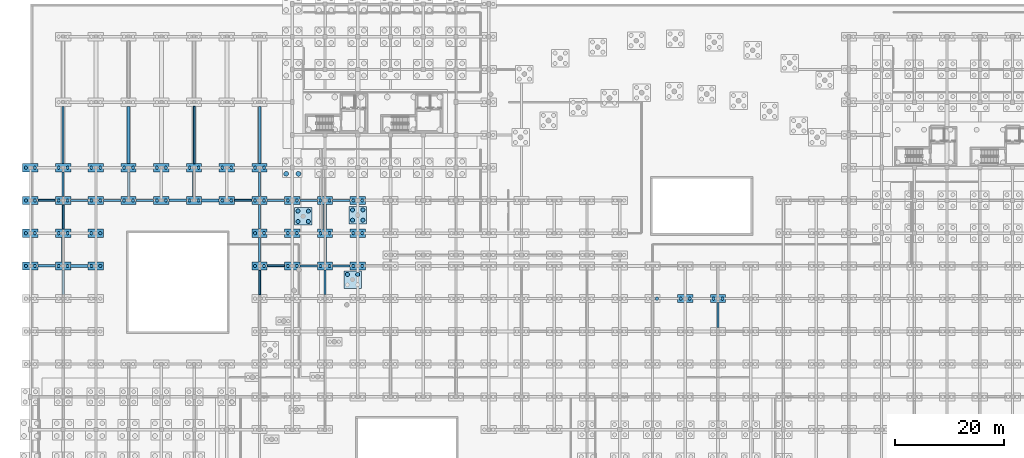
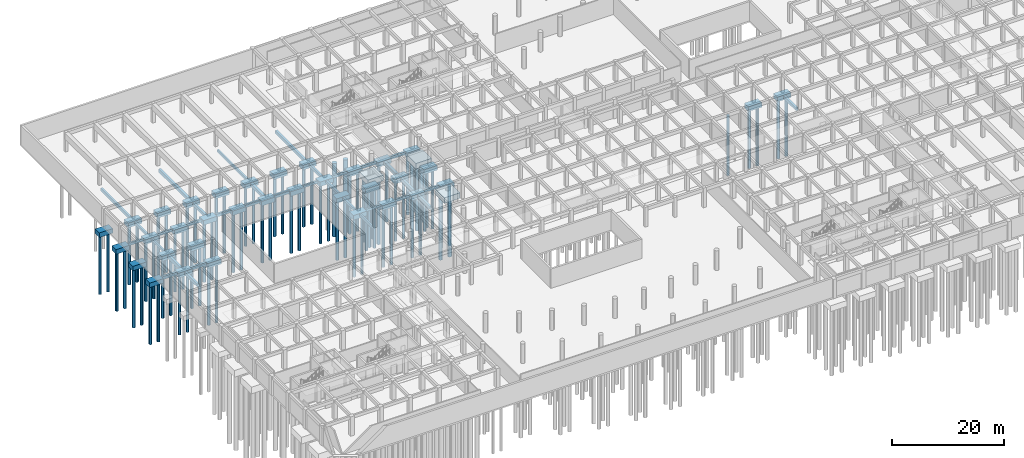
# One storey, part 6 of 41: 83 piles, 71 footings.
"""IFC4 building model written with IfcOpenShell, lengths in metres."""

from ifc_helpers import new_model, si_unit, direction, frame, origin, origin_2d, place, context, subcontext, project, spatial, polyline, rectangle, circle, outline, extrude, material, material_profile, profile_set, type_object, element, save


model = new_model("IFC4")

# Units and contexts
model_context = context("Model", 3, precision=1e-05, world=origin(), true_north=direction((0.0, 1.0)))
body_context = subcontext(model_context, "Body", "Model", "MODEL_VIEW")
ifc_project = project(units=[si_unit("LENGTHUNIT", "METRE"), si_unit("AREAUNIT", "SQUARE_METRE"), si_unit("VOLUMEUNIT", "CUBIC_METRE"), si_unit("PLANEANGLEUNIT", "RADIAN"), si_unit("MASSUNIT", "GRAM", prefix="KILO"), si_unit("POWERUNIT", "WATT"), si_unit("THERMODYNAMICTEMPERATUREUNIT", "KELVIN")], contexts=[model_context])

# Site, building, storey
site_placement = place(None, origin())
site = spatial("IfcSite", under=ifc_project, at=site_placement, CompositionType="ELEMENT")
building_placement = place(site_placement, origin())
building = spatial("IfcBuilding", under=site, at=building_placement, Name="Ruvembo Vaulted Housing Court", CompositionType="ELEMENT")
storey_placement = place(building_placement, frame((0.0, 0.0, -4.5)))
storey = spatial("IfcBuildingStorey", under=building, at=storey_placement, Name="B1", CompositionType="ELEMENT", Elevation=-4.5)

# Footings
ifc_material_1 = material(Name="Concrete C30/37", Category="concrete")
footing_type_1 = type_object("IfcFootingType", Name="GB-350x550", PredefinedType="FOOTING_BEAM", material=ifc_material_1)
footing_1_placement = place(storey_placement, frame((0.0, 0.0, -0.85009765625)))
element("IfcFooting", 1, at=footing_1_placement, inside=storey, type_object=footing_type_1, Name="Ground Tie Beam GB-114", PredefinedType="FOOTING_BEAM", context=body_context, shape_type="SweptSolid", body=[
    extrude(outline(polyline([(43.39990234375, 65.824951171875), (46.60009765625, 65.824951171875), (46.60009765625, 66.175048828125), (43.39990234375, 66.175048828125), (43.39990234375, 65.824951171875)])), origin(), (0.0, 0.0, 1.0), 0.550048828125),
])
footing_2_placement = place(storey_placement, frame((0.0, 0.0, -0.85009765625)))
element("IfcFooting", 2, at=footing_2_placement, inside=storey, type_object=footing_type_1, Name="Ground Tie Beam GB-138", PredefinedType="FOOTING_BEAM", context=body_context, shape_type="SweptSolid", body=[
    extrude(outline(polyline([(1.39990234375, 77.824951171875), (4.60009765625, 77.824951171875), (4.60009765625, 78.175048828125), (1.39990234375, 78.175048828125), (1.39990234375, 77.824951171875)])), origin(), (0.0, 0.0, 1.0), 0.550048828125),
])
footing_3_placement = place(storey_placement, frame((0.0, 0.0, -0.85009765625)))
element("IfcFooting", 3, at=footing_3_placement, inside=storey, type_object=footing_type_1, Name="Ground Tie Beam GB-144", PredefinedType="FOOTING_BEAM", context=body_context, shape_type="SweptSolid", body=[
    extrude(outline(polyline([(37.39990234375, 77.824951171875), (40.60009765625, 77.824951171875), (40.60009765625, 78.175048828125), (37.39990234375, 78.175048828125), (37.39990234375, 77.824951171875)])), origin(), (0.0, 0.0, 1.0), 0.550048828125),
])
footing_4_placement = place(storey_placement, frame((0.0, 0.0, -0.85009765625)))
element("IfcFooting", 4, at=footing_4_placement, inside=storey, type_object=footing_type_1, Name="Ground Tie Beam GB-192", PredefinedType="FOOTING_BEAM", context=body_context, shape_type="SweptSolid", body=[
    extrude(outline(polyline([(5.824951171875, 72.75), (6.175048828125, 72.75), (6.175048828125, 77.25), (5.824951171875, 77.25), (5.824951171875, 72.75)])), origin(), (0.0, 0.0, 1.0), 0.550048828125),
])
footing_5_placement = place(storey_placement, frame((0.0, 0.0, -0.85009765625)))
element("IfcFooting", 5, at=footing_5_placement, inside=storey, type_object=footing_type_1, Name="Ground Tie Beam GB-210", PredefinedType="FOOTING_BEAM", context=body_context, shape_type="SweptSolid", body=[
    extrude(outline(polyline([(29.824951171875, 84.75), (30.175048828125, 84.75), (30.175048828125, 95.25), (29.824951171875, 95.25), (29.824951171875, 84.75)])), origin(), (0.0, 0.0, 1.0), 0.550048828125),
])
footing_6_placement = place(storey_placement, frame((0.0, 0.0, -0.85009765625)))
element("IfcFooting", 6, at=footing_6_placement, inside=storey, type_object=footing_type_1, Name="Ground Tie Beam GB-216", PredefinedType="FOOTING_BEAM", context=body_context, shape_type="SweptSolid", body=[
    extrude(outline(polyline([(41.824951171875, 60.75), (42.175048828125, 60.75), (42.175048828125, 65.25), (41.824951171875, 65.25), (41.824951171875, 60.75)])), origin(), (0.0, 0.0, 1.0), 0.550048828125),
])
footing_type_2 = type_object("IfcFootingType", Name="GB-380x580", PredefinedType="FOOTING_BEAM", material=ifc_material_1)
footing_7_placement = place(storey_placement, frame((0.0, 0.0, -0.8798828125)))
element("IfcFooting", 7, at=footing_7_placement, inside=storey, type_object=footing_type_2, Name="Ground Tie Beam GB-115", PredefinedType="FOOTING_BEAM", context=body_context, shape_type="SweptSolid", body=[
    extrude(outline(polyline([(49.39990234375, 65.81005859375), (52.60009765625, 65.81005859375), (52.60009765625, 66.18994140625), (49.39990234375, 66.18994140625), (49.39990234375, 65.81005859375)])), origin(), (0.0, 0.0, 1.0), 0.579833984375),
])
footing_8_placement = place(storey_placement, frame((0.0, 0.0, -0.8798828125)))
element("IfcFooting", 8, at=footing_8_placement, inside=storey, type_object=footing_type_2, Name="Ground Tie Beam GB-139", PredefinedType="FOOTING_BEAM", context=body_context, shape_type="SweptSolid", body=[
    extrude(outline(polyline([(7.39990234375, 77.81005859375), (10.60009765625, 77.81005859375), (10.60009765625, 78.18994140625), (7.39990234375, 78.18994140625), (7.39990234375, 77.81005859375)])), origin(), (0.0, 0.0, 1.0), 0.579833984375),
])
footing_9_placement = place(storey_placement, frame((0.0, 0.0, -0.8798828125)))
element("IfcFooting", 9, at=footing_9_placement, inside=storey, type_object=footing_type_2, Name="Ground Tie Beam GB-145", PredefinedType="FOOTING_BEAM", context=body_context, shape_type="SweptSolid", body=[
    extrude(outline(polyline([(43.39990234375, 77.81005859375), (46.60009765625, 77.81005859375), (46.60009765625, 78.18994140625), (43.39990234375, 78.18994140625), (43.39990234375, 77.81005859375)])), origin(), (0.0, 0.0, 1.0), 0.579833984375),
])
footing_10_placement = place(storey_placement, frame((0.0, 0.0, -0.8798828125)))
element("IfcFooting", 10, at=footing_10_placement, inside=storey, type_object=footing_type_2, Name="Ground Tie Beam GB-193", PredefinedType="FOOTING_BEAM", context=body_context, shape_type="SweptSolid", body=[
    extrude(outline(polyline([(5.81005859375, 78.75), (6.18994140625, 78.75), (6.18994140625, 83.25), (5.81005859375, 83.25), (5.81005859375, 78.75)])), origin(), (0.0, 0.0, 1.0), 0.579833984375),
])
footing_11_placement = place(storey_placement, frame((0.0, 0.0, -0.8798828125)))
element("IfcFooting", 11, at=footing_11_placement, inside=storey, type_object=footing_type_2, Name="Ground Tie Beam GB-217", PredefinedType="FOOTING_BEAM", context=body_context, shape_type="SweptSolid", body=[
    extrude(outline(polyline([(41.81005859375, 66.75), (42.18994140625, 66.75), (42.18994140625, 71.25), (41.81005859375, 71.25), (41.81005859375, 66.75)])), origin(), (0.0, 0.0, 1.0), 0.579833984375),
])
footing_type_3 = type_object("IfcFootingType", Name="GB-400x600", PredefinedType="FOOTING_BEAM", material=ifc_material_1)
footing_12_placement = place(storey_placement, frame((0.0, 0.0, -0.89990234375)))
element("IfcFooting", 12, at=footing_12_placement, inside=storey, type_object=footing_type_3, Name="Ground Tie Beam GB-116", PredefinedType="FOOTING_BEAM", context=body_context, shape_type="SweptSolid", body=[
    extrude(outline(polyline([(55.39990234375, 65.800048828125), (58.60009765625, 65.800048828125), (58.60009765625, 66.199951171875), (55.39990234375, 66.199951171875), (55.39990234375, 65.800048828125)])), origin(), (0.0, 0.0, 1.0), 0.599853515625),
])
footing_13_placement = place(storey_placement, frame((0.0, 0.0, -0.89990234375)))
element("IfcFooting", 13, at=footing_13_placement, inside=storey, type_object=footing_type_3, Name="Ground Tie Beam GB-140", PredefinedType="FOOTING_BEAM", context=body_context, shape_type="SweptSolid", body=[
    extrude(outline(polyline([(13.39990234375, 77.800048828125), (16.60009765625, 77.800048828125), (16.60009765625, 78.199951171875), (13.39990234375, 78.199951171875), (13.39990234375, 77.800048828125)])), origin(), (0.0, 0.0, 1.0), 0.599853515625),
])
footing_14_placement = place(storey_placement, frame((0.0, 0.0, -0.89990234375)))
element("IfcFooting", 14, at=footing_14_placement, inside=storey, type_object=footing_type_3, Name="Ground Tie Beam GB-146", PredefinedType="FOOTING_BEAM", context=body_context, shape_type="SweptSolid", body=[
    extrude(outline(polyline([(49.39990234375, 77.800048828125), (52.60009765625, 77.800048828125), (52.60009765625, 78.199951171875), (49.39990234375, 78.199951171875), (49.39990234375, 77.800048828125)])), origin(), (0.0, 0.0, 1.0), 0.599853515625),
])
footing_15_placement = place(storey_placement, frame((0.0, 0.0, -0.89990234375)))
element("IfcFooting", 15, at=footing_15_placement, inside=storey, type_object=footing_type_3, Name="Ground Tie Beam GB-194", PredefinedType="FOOTING_BEAM", context=body_context, shape_type="SweptSolid", body=[
    extrude(outline(polyline([(5.800048828125, 84.75), (6.199951171875, 84.75), (6.199951171875, 95.25), (5.800048828125, 95.25), (5.800048828125, 84.75)])), origin(), (0.0, 0.0, 1.0), 0.599853515625),
])
footing_16_placement = place(storey_placement, frame((0.0, 0.0, -0.89990234375)))
element("IfcFooting", 16, at=footing_16_placement, inside=storey, type_object=footing_type_3, Name="Ground Tie Beam GB-218", PredefinedType="FOOTING_BEAM", context=body_context, shape_type="SweptSolid", body=[
    extrude(outline(polyline([(41.800048828125, 72.75), (42.199951171875, 72.75), (42.199951171875, 77.25), (41.800048828125, 77.25), (41.800048828125, 72.75)])), origin(), (0.0, 0.0, 1.0), 0.599853515625),
])
footing_type_4 = type_object("IfcFootingType", Name="GB-420x620", PredefinedType="FOOTING_BEAM", material=ifc_material_1)
footing_17_placement = place(storey_placement, frame((0.0, 0.0, -0.919921875)))
element("IfcFooting", 17, at=footing_17_placement, inside=storey, type_object=footing_type_4, Name="Ground Tie Beam GB-141", PredefinedType="FOOTING_BEAM", context=body_context, shape_type="SweptSolid", body=[
    extrude(outline(polyline([(19.39990234375, 77.7900390625), (22.60009765625, 77.7900390625), (22.60009765625, 78.2099609375), (19.39990234375, 78.2099609375), (19.39990234375, 77.7900390625)])), origin(), (0.0, 0.0, 1.0), 0.619873046875),
])
footing_18_placement = place(storey_placement, frame((0.0, 0.0, -0.919921875)))
element("IfcFooting", 18, at=footing_18_placement, inside=storey, type_object=footing_type_4, Name="Ground Tie Beam GB-147", PredefinedType="FOOTING_BEAM", context=body_context, shape_type="SweptSolid", body=[
    extrude(outline(polyline([(55.39990234375, 77.7900390625), (58.60009765625, 77.7900390625), (58.60009765625, 78.2099609375), (55.39990234375, 78.2099609375), (55.39990234375, 77.7900390625)])), origin(), (0.0, 0.0, 1.0), 0.619873046875),
])
footing_19_placement = place(storey_placement, frame((0.0, 0.0, -0.919921875)))
element("IfcFooting", 19, at=footing_19_placement, inside=storey, type_object=footing_type_4, Name="Ground Tie Beam GB-219", PredefinedType="FOOTING_BEAM", context=body_context, shape_type="SweptSolid", body=[
    extrude(outline(polyline([(41.7900390625, 78.75), (42.2099609375, 78.75), (42.2099609375, 83.25), (41.7900390625, 83.25), (41.7900390625, 78.75)])), origin(), (0.0, 0.0, 1.0), 0.619873046875),
])
footing_20_placement = place(storey_placement, frame((0.0, 0.0, -0.919921875)))
element("IfcFooting", 20, at=footing_20_placement, inside=storey, type_object=footing_type_4, Name="Ground Tie Beam GB-225", PredefinedType="FOOTING_BEAM", context=body_context, shape_type="SweptSolid", body=[
    extrude(outline(polyline([(53.7900390625, 60.75), (54.2099609375, 60.75), (54.2099609375, 65.25), (53.7900390625, 65.25), (53.7900390625, 60.75)])), origin(), (0.0, 0.0, 1.0), 0.619873046875),
])
footing_21_placement = place(storey_placement, frame((0.0, 0.0, -0.919921875)))
element("IfcFooting", 21, at=footing_21_placement, inside=storey, type_object=footing_type_4, Name="Ground Tie Beam GB-291", PredefinedType="FOOTING_BEAM", context=body_context, shape_type="SweptSolid", body=[
    extrude(outline(polyline([(125.7900390625, 54.75), (126.2099609375, 54.75), (126.2099609375, 59.25), (125.7900390625, 59.25), (125.7900390625, 54.75)])), origin(), (0.0, 0.0, 1.0), 0.619873046875),
])
footing_type_5 = type_object("IfcFootingType", Name="GB-450x650", PredefinedType="FOOTING_BEAM", material=ifc_material_1)
footing_22_placement = place(storey_placement, frame((0.0, 0.0, -0.949951171875)))
element("IfcFooting", 22, at=footing_22_placement, inside=storey, type_object=footing_type_5, Name="Ground Tie Beam GB-112", PredefinedType="FOOTING_BEAM", context=body_context, shape_type="SweptSolid", body=[
    extrude(outline(polyline([(1.39990234375, 65.77490234375), (4.60009765625, 65.77490234375), (4.60009765625, 66.22509765625), (1.39990234375, 66.22509765625), (1.39990234375, 65.77490234375)])), origin(), (0.0, 0.0, 1.0), 0.64990234375),
])
footing_23_placement = place(storey_placement, frame((0.0, 0.0, -0.949951171875)))
element("IfcFooting", 23, at=footing_23_placement, inside=storey, type_object=footing_type_5, Name="Ground Tie Beam GB-142", PredefinedType="FOOTING_BEAM", context=body_context, shape_type="SweptSolid", body=[
    extrude(outline(polyline([(25.39990234375, 77.77490234375), (28.60009765625, 77.77490234375), (28.60009765625, 78.22509765625), (25.39990234375, 78.22509765625), (25.39990234375, 77.77490234375)])), origin(), (0.0, 0.0, 1.0), 0.64990234375),
])
footing_24_placement = place(storey_placement, frame((0.0, 0.0, -0.949951171875)))
element("IfcFooting", 24, at=footing_24_placement, inside=storey, type_object=footing_type_5, Name="Ground Tie Beam GB-190", PredefinedType="FOOTING_BEAM", context=body_context, shape_type="SweptSolid", body=[
    extrude(outline(polyline([(5.77490234375, 60.75), (6.22509765625, 60.75), (6.22509765625, 65.25), (5.77490234375, 65.25), (5.77490234375, 60.75)])), origin(), (0.0, 0.0, 1.0), 0.64990234375),
])
footing_25_placement = place(storey_placement, frame((0.0, 0.0, -0.949951171875)))
element("IfcFooting", 25, at=footing_25_placement, inside=storey, type_object=footing_type_5, Name="Ground Tie Beam GB-202", PredefinedType="FOOTING_BEAM", context=body_context, shape_type="SweptSolid", body=[
    extrude(outline(polyline([(17.77490234375, 78.75), (18.22509765625, 78.75), (18.22509765625, 83.25), (17.77490234375, 83.25), (17.77490234375, 78.75)])), origin(), (0.0, 0.0, 1.0), 0.64990234375),
])
footing_26_placement = place(storey_placement, frame((0.0, 0.0, -0.949951171875)))
element("IfcFooting", 26, at=footing_26_placement, inside=storey, type_object=footing_type_5, Name="Ground Tie Beam GB-220", PredefinedType="FOOTING_BEAM", context=body_context, shape_type="SweptSolid", body=[
    extrude(outline(polyline([(41.77490234375, 84.75), (42.22509765625, 84.75), (42.22509765625, 95.25), (41.77490234375, 95.25), (41.77490234375, 84.75)])), origin(), (0.0, 0.0, 1.0), 0.64990234375),
])
footing_27_placement = place(storey_placement, frame((0.0, 0.0, -0.949951171875)))
element("IfcFooting", 27, at=footing_27_placement, inside=storey, type_object=footing_type_5, Name="Ground Tie Beam GB-226", PredefinedType="FOOTING_BEAM", context=body_context, shape_type="SweptSolid", body=[
    extrude(outline(polyline([(53.77490234375, 66.75), (54.22509765625, 66.75), (54.22509765625, 71.25), (53.77490234375, 71.25), (53.77490234375, 66.75)])), origin(), (0.0, 0.0, 1.0), 0.64990234375),
])
footing_type_6 = type_object("IfcFootingType", Name="GB-500x700", PredefinedType="FOOTING_BEAM", material=ifc_material_1)
footing_28_placement = place(storey_placement, frame((0.0, 0.0, -1.0)))
element("IfcFooting", 28, at=footing_28_placement, inside=storey, type_object=footing_type_6, Name="Ground Tie Beam GB-113", PredefinedType="FOOTING_BEAM", context=body_context, shape_type="SweptSolid", body=[
    extrude(outline(polyline([(7.39990234375, 65.75), (10.60009765625, 65.75), (10.60009765625, 66.25), (7.39990234375, 66.25), (7.39990234375, 65.75)])), origin(), (0.0, 0.0, 1.0), 0.699951171875),
])
footing_29_placement = place(storey_placement, frame((0.0, 0.0, -1.0)))
element("IfcFooting", 29, at=footing_29_placement, inside=storey, type_object=footing_type_6, Name="Ground Tie Beam GB-143", PredefinedType="FOOTING_BEAM", context=body_context, shape_type="SweptSolid", body=[
    extrude(outline(polyline([(31.39990234375, 77.75), (34.60009765625, 77.75), (34.60009765625, 78.25), (31.39990234375, 78.25), (31.39990234375, 77.75)])), origin(), (0.0, 0.0, 1.0), 0.699951171875),
])
footing_30_placement = place(storey_placement, frame((0.0, 0.0, -1.0)))
element("IfcFooting", 30, at=footing_30_placement, inside=storey, type_object=footing_type_6, Name="Ground Tie Beam GB-191", PredefinedType="FOOTING_BEAM", context=body_context, shape_type="SweptSolid", body=[
    extrude(outline(polyline([(5.75, 66.75), (6.25, 66.75), (6.25, 71.25), (5.75, 71.25), (5.75, 66.75)])), origin(), (0.0, 0.0, 1.0), 0.699951171875),
])
footing_31_placement = place(storey_placement, frame((0.0, 0.0, -1.0)))
element("IfcFooting", 31, at=footing_31_placement, inside=storey, type_object=footing_type_6, Name="Ground Tie Beam GB-203", PredefinedType="FOOTING_BEAM", context=body_context, shape_type="SweptSolid", body=[
    extrude(outline(polyline([(17.75, 84.75), (18.25, 84.75), (18.25, 95.25), (17.75, 95.25), (17.75, 84.75)])), origin(), (0.0, 0.0, 1.0), 0.699951171875),
])
footing_32_placement = place(storey_placement, frame((0.0, 0.0, -1.0)))
element("IfcFooting", 32, at=footing_32_placement, inside=storey, type_object=footing_type_6, Name="Ground Tie Beam GB-209", PredefinedType="FOOTING_BEAM", context=body_context, shape_type="SweptSolid", body=[
    extrude(outline(polyline([(29.75, 78.75), (30.25, 78.75), (30.25, 83.25), (29.75, 83.25), (29.75, 78.75)])), origin(), (0.0, 0.0, 1.0), 0.699951171875),
])
footing_33_placement = place(storey_placement, frame((0.0, 0.0, -1.0)))
element("IfcFooting", 33, at=footing_33_placement, inside=storey, type_object=footing_type_6, Name="Ground Tie Beam GB-227", PredefinedType="FOOTING_BEAM", context=body_context, shape_type="SweptSolid", body=[
    extrude(outline(polyline([(53.75, 72.75), (54.25, 72.75), (54.25, 77.25), (53.75, 77.25), (53.75, 72.75)])), origin(), (0.0, 0.0, 1.0), 0.699951171875),
])
ifc_material_2 = material(Name="Concrete C35/45", Category="concrete")
footing_type_7 = type_object("IfcFootingType", Name="PC-2P-A", PredefinedType="PILE_CAP", material=ifc_material_2)
for number, where, z_axis, x_axis, name in (
    (34, (0.0, 66.0, -1.300048828125), (0.0, 0.0, 1.0), (1.0, 0.0, 0.0), "Pile Cap PC1 #13"),
    (35, (0.0, 72.0, -1.300048828125), (0.0, 0.0, 1.0), (1.0, 0.0, 0.0), "Pile Cap PC1 #14"),
    (36, (0.0, 78.0, -1.300048828125), (0.0, 0.0, 1.0), (1.0, 0.0, 0.0), "Pile Cap PC1 #15"),
    (37, (0.0, 84.0, -1.300048828125), (0.0, 0.0, 1.0), (1.0, 0.0, 0.0), "Pile Cap PC1 #16"),
    (38, (6.0, 66.0, -1.300048828125), (0.0, 0.0, 1.0), (1.0, 0.0, 0.0), "Pile Cap PC1 #25"),
    (39, (6.0, 72.0, -1.300048828125), (0.0, 0.0, 1.0), (1.0, 0.0, 0.0), "Pile Cap PC1 #26"),
    (40, (6.0, 78.0, -1.300048828125), (0.0, 0.0, 1.0), (1.0, 0.0, 0.0), "Pile Cap PC1 #27"),
    (41, (6.0, 84.0, -1.300048828125), (0.0, 0.0, 1.0), (1.0, 0.0, 0.0), "Pile Cap PC1 #28"),
    (42, (12.0, 66.0, -1.300048828125), (0.0, 0.0, 1.0), (1.0, 0.0, 0.0), "Pile Cap PC1 #39"),
    (43, (12.0, 72.0, -1.300048828125), (0.0, 0.0, 1.0), (1.0, 0.0, 0.0), "Pile Cap PC1 #40"),
    (44, (12.0, 78.0, -1.300048828125), (0.0, 0.0, 1.0), (1.0, 0.0, 0.0), "Pile Cap PC1 #41"),
    (45, (12.0, 84.0, -1.300048828125), (0.0, 0.0, 1.0), (1.0, 0.0, 0.0), "Pile Cap PC1 #42"),
    (46, (18.0, 78.0, -1.300048828125), (0.0, 0.0, 1.0), (1.0, 0.0, 0.0), "Pile Cap PC1 #51"),
    (47, (18.0, 84.0, -1.300048828125), (0.0, 0.0, 1.0), (1.0, 0.0, 0.0), "Pile Cap PC1 #52"),
    (48, (24.0, 78.0, -1.300048828125), (0.0, 0.0, 1.0), (1.0, 0.0, 0.0), "Pile Cap PC1 #61"),
    (49, (24.0, 84.0, -1.300048828125), (0.0, 0.0, 1.0), (1.0, 0.0, 0.0), "Pile Cap PC1 #62"),
    (50, (30.0, 78.0, -1.300048828125), (0.0, 0.0, 1.0), (1.0, 0.0, 0.0), "Pile Cap PC1 #71"),
    (51, (30.0, 84.0, -1.300048828125), (0.0, 0.0, 1.0), (1.0, 0.0, 0.0), "Pile Cap PC1 #72"),
    (52, (36.0, 78.0, -1.300048828125), (0.0, 0.0, 1.0), (1.0, 0.0, 0.0), "Pile Cap PC1 #83"),
    (53, (36.0, 84.0, -1.300048828125), (0.0, 0.0, 1.0), (1.0, 0.0, 0.0), "Pile Cap PC1 #84"),
    (54, (42.0, 66.0, -1.300048828125), (0.0, 0.0, 1.0), (1.0, 0.0, 0.0), "Pile Cap PC1 #92"),
    (55, (42.0, 72.0, -1.300048828125), (0.0, 0.0, 1.0), (1.0, 0.0, 0.0), "Pile Cap PC1 #93"),
    (56, (42.0, 78.0, -1.300048828125), (0.0, 0.0, 1.0), (1.0, 0.0, 0.0), "Pile Cap PC1 #94"),
    (57, (42.0, 84.0, -1.300048828125), (0.0, 0.0, 1.0), (1.0, 0.0, 0.0), "Pile Cap PC1 #95"),
    (58, (48.0, 66.0, -1.300048828125), (0.0, 0.0, 1.0), (1.0, 0.0, 0.0), "Pile Cap PC1 #103"),
    (59, (48.0, 72.0, -1.300048828125), (0.0, 0.0, 1.0), (1.0, 0.0, 0.0), "Pile Cap PC1 #104"),
    (60, (48.0, 78.0, -1.300048828125), (0.0, 0.0, 1.0), (1.0, 0.0, 0.0), "Pile Cap PC1 #105"),
    (61, (54.0, 66.0, -1.300048828125), (0.0, 0.0, 1.0), (1.0, 0.0, 0.0), "Pile Cap PC1 #115"),
    (62, (54.0, 72.0, -1.300048828125), (0.0, 0.0, 1.0), (1.0, 0.0, 0.0), "Pile Cap PC1 #116"),
    (63, (54.0, 78.0, -1.300048828125), (0.0, 0.0, 1.0), (1.0, 0.0, 0.0), "Pile Cap PC1 #117"),
    (64, (60.0, 66.0, -1.300048828125), (0.0, 0.0, 1.0), (1.0, 0.0, 0.0), "Pile Cap PC1 #126"),
    (65, (60.0, 72.0, -1.300048828125), (0.0, 0.0, 1.0), (1.0, 0.0, 0.0), "Pile Cap PC1 #127"),
    (66, (60.0, 78.0, -1.300048828125), (0.0, 0.0, 1.0), (1.0, 0.0, 0.0), "Pile Cap PC1 #128"),
    (67, (120.0, 60.0, -1.300048828125), (0.0, 0.0, 1.0), (1.0, 0.0, 0.0), "Pile Cap PC1 #246"),
    (68, (126.0, 60.0, -1.300048828125), (0.0, 0.0, 1.0), (1.0, 0.0, 0.0), "Pile Cap PC1 #256"),
):
    element("IfcFooting", number, at=place(storey_placement, frame(where, z_axis=z_axis, x_axis=x_axis)), inside=storey, type_object=footing_type_7, Name=name, PredefinedType="PILE_CAP", context=body_context, shape_type="SweptSolid", body=[
        extrude(rectangle(XDim=2.800048828125, YDim=1.5, at=origin_2d()), origin(), (0.0, 0.0, 1.0), 1.0),
    ])
footing_type_8 = type_object("IfcFootingType", Name="PC-4P-A", PredefinedType="PILE_CAP", material=ifc_material_2)
for number, where, z_axis, x_axis, name in (
    (69, (59.040771484375, 63.495361328125, -1.5), (0.0, 0.0, 1.0), (1.0, 0.0, 0.0), "Pile Cap PC4 #400"),
    (70, (49.987548828125, 75.092529296875, -1.5), (0.0, 0.0, 1.0), (1.0, 0.0, 0.0), "Pile Cap PC4 #401"),
    (71, (59.985107421875, 75.3203125, -1.5), (0.0, 0.0, 1.0), (1.0, 0.0, 0.0), "Pile Cap PC4 #402"),
):
    element("IfcFooting", number, at=place(storey_placement, frame(where, z_axis=z_axis, x_axis=x_axis)), inside=storey, type_object=footing_type_8, Name=name, PredefinedType="PILE_CAP", context=body_context, shape_type="SweptSolid", body=[
        extrude(rectangle(XDim=3.199951171875, YDim=3.199951171875, at=origin_2d()), origin(), (0.0, 0.0, 1.0), 1.199951171875),
    ])

# Piles
ifc_material_profile_1 = material_profile(ifc_material_1, circle(Radius=0.300048828125, at=origin_2d()), Name="PILE D600")
ifc_profile_set_1 = profile_set([ifc_material_profile_1], Name="Concrete C30/37")
pile_type_1 = type_object("IfcPileType", Name="PILE-BORED-600", PredefinedType="BORED", material=ifc_profile_set_1)
for number, where, z_axis, x_axis, name in (
    (72, (-0.820068359375, 66.0, -1.199951171875), (0.0, 0.0, -1.0), (1.0, 0.0, 0.0), "Bored Pile PILE-0075"),
    (73, (0.820068359375, 66.0, -1.199951171875), (0.0, 0.0, -1.0), (1.0, 0.0, 0.0), "Bored Pile PILE-0076"),
    (74, (-0.820068359375, 72.0, -1.199951171875), (0.0, 0.0, -1.0), (1.0, 0.0, 0.0), "Bored Pile PILE-0077"),
    (75, (0.820068359375, 72.0, -1.199951171875), (0.0, 0.0, -1.0), (1.0, 0.0, 0.0), "Bored Pile PILE-0078"),
    (76, (-0.820068359375, 78.0, -1.199951171875), (0.0, 0.0, -1.0), (1.0, 0.0, 0.0), "Bored Pile PILE-0079"),
    (77, (0.820068359375, 78.0, -1.199951171875), (0.0, 0.0, -1.0), (1.0, 0.0, 0.0), "Bored Pile PILE-0080"),
    (78, (-0.820068359375, 84.0, -1.199951171875), (0.0, 0.0, -1.0), (1.0, 0.0, 0.0), "Bored Pile PILE-0081"),
    (79, (0.820068359375, 84.0, -1.199951171875), (0.0, 0.0, -1.0), (1.0, 0.0, 0.0), "Bored Pile PILE-0082"),
    (80, (5.179931640625, 66.0, -1.199951171875), (0.0, 0.0, -1.0), (1.0, 0.0, 0.0), "Bored Pile PILE-0109"),
    (81, (6.820068359375, 66.0, -1.199951171875), (0.0, 0.0, -1.0), (1.0, 0.0, 0.0), "Bored Pile PILE-0110"),
    (82, (5.179931640625, 72.0, -1.199951171875), (0.0, 0.0, -1.0), (1.0, 0.0, 0.0), "Bored Pile PILE-0111"),
    (83, (6.820068359375, 72.0, -1.199951171875), (0.0, 0.0, -1.0), (1.0, 0.0, 0.0), "Bored Pile PILE-0112"),
    (84, (5.179931640625, 78.0, -1.199951171875), (0.0, 0.0, -1.0), (1.0, 0.0, 0.0), "Bored Pile PILE-0113"),
    (85, (6.820068359375, 78.0, -1.199951171875), (0.0, 0.0, -1.0), (1.0, 0.0, 0.0), "Bored Pile PILE-0114"),
    (86, (5.179931640625, 84.0, -1.199951171875), (0.0, 0.0, -1.0), (1.0, 0.0, 0.0), "Bored Pile PILE-0115"),
    (87, (6.820068359375, 84.0, -1.199951171875), (0.0, 0.0, -1.0), (1.0, 0.0, 0.0), "Bored Pile PILE-0116"),
    (88, (11.179931640625, 66.0, -1.199951171875), (0.0, 0.0, -1.0), (1.0, 0.0, 0.0), "Bored Pile PILE-0147"),
    (89, (12.820068359375, 66.0, -1.199951171875), (0.0, 0.0, -1.0), (1.0, 0.0, 0.0), "Bored Pile PILE-0148"),
    (90, (11.179931640625, 72.0, -1.199951171875), (0.0, 0.0, -1.0), (1.0, 0.0, 0.0), "Bored Pile PILE-0149"),
    (91, (12.820068359375, 72.0, -1.199951171875), (0.0, 0.0, -1.0), (1.0, 0.0, 0.0), "Bored Pile PILE-0150"),
    (92, (11.179931640625, 78.0, -1.199951171875), (0.0, 0.0, -1.0), (1.0, 0.0, 0.0), "Bored Pile PILE-0151"),
    (93, (12.820068359375, 78.0, -1.199951171875), (0.0, 0.0, -1.0), (1.0, 0.0, 0.0), "Bored Pile PILE-0152"),
    (94, (11.179931640625, 84.0, -1.199951171875), (0.0, 0.0, -1.0), (1.0, 0.0, 0.0), "Bored Pile PILE-0153"),
    (95, (12.820068359375, 84.0, -1.199951171875), (0.0, 0.0, -1.0), (1.0, 0.0, 0.0), "Bored Pile PILE-0154"),
    (96, (17.179931640625, 78.0, -1.199951171875), (0.0, 0.0, -1.0), (1.0, 0.0, 0.0), "Bored Pile PILE-0181"),
    (97, (18.820068359375, 78.0, -1.199951171875), (0.0, 0.0, -1.0), (1.0, 0.0, 0.0), "Bored Pile PILE-0182"),
    (98, (17.179931640625, 84.0, -1.199951171875), (0.0, 0.0, -1.0), (1.0, 0.0, 0.0), "Bored Pile PILE-0183"),
    (99, (18.820068359375, 84.0, -1.199951171875), (0.0, 0.0, -1.0), (1.0, 0.0, 0.0), "Bored Pile PILE-0184"),
    (100, (23.179931640625, 78.0, -1.199951171875), (0.0, 0.0, -1.0), (1.0, 0.0, 0.0), "Bored Pile PILE-0211"),
    (101, (24.820068359375, 78.0, -1.199951171875), (0.0, 0.0, -1.0), (1.0, 0.0, 0.0), "Bored Pile PILE-0212"),
    (102, (23.179931640625, 84.0, -1.199951171875), (0.0, 0.0, -1.0), (1.0, 0.0, 0.0), "Bored Pile PILE-0213"),
    (103, (24.820068359375, 84.0, -1.199951171875), (0.0, 0.0, -1.0), (1.0, 0.0, 0.0), "Bored Pile PILE-0214"),
    (104, (29.179931640625, 78.0, -1.199951171875), (0.0, 0.0, -1.0), (1.0, 0.0, 0.0), "Bored Pile PILE-0241"),
    (105, (30.820068359375, 78.0, -1.199951171875), (0.0, 0.0, -1.0), (1.0, 0.0, 0.0), "Bored Pile PILE-0242"),
    (106, (29.179931640625, 84.0, -1.199951171875), (0.0, 0.0, -1.0), (1.0, 0.0, 0.0), "Bored Pile PILE-0243"),
    (107, (30.820068359375, 84.0, -1.199951171875), (0.0, 0.0, -1.0), (1.0, 0.0, 0.0), "Bored Pile PILE-0244"),
    (108, (35.179931640625, 78.0, -1.199951171875), (0.0, 0.0, -1.0), (1.0, 0.0, 0.0), "Bored Pile PILE-0267"),
    (109, (36.820068359375, 78.0, -1.199951171875), (0.0, 0.0, -1.0), (1.0, 0.0, 0.0), "Bored Pile PILE-0268"),
    (110, (35.179931640625, 84.0, -1.199951171875), (0.0, 0.0, -1.0), (1.0, 0.0, 0.0), "Bored Pile PILE-0269"),
    (111, (36.820068359375, 84.0, -1.199951171875), (0.0, 0.0, -1.0), (1.0, 0.0, 0.0), "Bored Pile PILE-0270"),
    (112, (41.179931640625, 66.0, -1.199951171875), (0.0, 0.0, -1.0), (1.0, 0.0, 0.0), "Bored Pile PILE-0285"),
    (113, (42.820068359375, 66.0, -1.199951171875), (0.0, 0.0, -1.0), (1.0, 0.0, 0.0), "Bored Pile PILE-0286"),
    (114, (41.179931640625, 72.0, -1.199951171875), (0.0, 0.0, -1.0), (1.0, 0.0, 0.0), "Bored Pile PILE-0287"),
    (115, (42.820068359375, 72.0, -1.199951171875), (0.0, 0.0, -1.0), (1.0, 0.0, 0.0), "Bored Pile PILE-0288"),
    (116, (41.179931640625, 78.0, -1.199951171875), (0.0, 0.0, -1.0), (1.0, 0.0, 0.0), "Bored Pile PILE-0289"),
    (117, (42.820068359375, 78.0, -1.199951171875), (0.0, 0.0, -1.0), (1.0, 0.0, 0.0), "Bored Pile PILE-0290"),
    (118, (41.179931640625, 84.0, -1.199951171875), (0.0, 0.0, -1.0), (1.0, 0.0, 0.0), "Bored Pile PILE-0291"),
    (119, (42.820068359375, 84.0, -1.199951171875), (0.0, 0.0, -1.0), (1.0, 0.0, 0.0), "Bored Pile PILE-0292"),
    (120, (47.179931640625, 66.0, -1.199951171875), (0.0, 0.0, -1.0), (1.0, 0.0, 0.0), "Bored Pile PILE-0307"),
    (121, (48.820068359375, 66.0, -1.199951171875), (0.0, 0.0, -1.0), (1.0, 0.0, 0.0), "Bored Pile PILE-0308"),
    (122, (47.179931640625, 72.0, -1.199951171875), (0.0, 0.0, -1.0), (1.0, 0.0, 0.0), "Bored Pile PILE-0309"),
    (123, (48.820068359375, 72.0, -1.199951171875), (0.0, 0.0, -1.0), (1.0, 0.0, 0.0), "Bored Pile PILE-0310"),
    (124, (47.179931640625, 78.0, -1.199951171875), (0.0, 0.0, -1.0), (1.0, 0.0, 0.0), "Bored Pile PILE-0311"),
    (125, (48.820068359375, 78.0, -1.199951171875), (0.0, 0.0, -1.0), (1.0, 0.0, 0.0), "Bored Pile PILE-0312"),
    (126, (53.179931640625, 66.0, -1.199951171875), (0.0, 0.0, -1.0), (1.0, 0.0, 0.0), "Bored Pile PILE-0339"),
    (127, (54.820068359375, 66.0, -1.199951171875), (0.0, 0.0, -1.0), (1.0, 0.0, 0.0), "Bored Pile PILE-0340"),
    (128, (53.179931640625, 72.0, -1.199951171875), (0.0, 0.0, -1.0), (1.0, 0.0, 0.0), "Bored Pile PILE-0341"),
    (129, (54.820068359375, 72.0, -1.199951171875), (0.0, 0.0, -1.0), (1.0, 0.0, 0.0), "Bored Pile PILE-0342"),
    (130, (53.179931640625, 78.0, -1.199951171875), (0.0, 0.0, -1.0), (1.0, 0.0, 0.0), "Bored Pile PILE-0343"),
    (131, (54.820068359375, 78.0, -1.199951171875), (0.0, 0.0, -1.0), (1.0, 0.0, 0.0), "Bored Pile PILE-0344"),
    (132, (59.179931640625, 66.0, -1.199951171875), (0.0, 0.0, -1.0), (1.0, 0.0, 0.0), "Bored Pile PILE-0369"),
    (133, (60.820068359375, 66.0, -1.199951171875), (0.0, 0.0, -1.0), (1.0, 0.0, 0.0), "Bored Pile PILE-0370"),
    (134, (59.179931640625, 72.0, -1.199951171875), (0.0, 0.0, -1.0), (1.0, 0.0, 0.0), "Bored Pile PILE-0371"),
    (135, (60.820068359375, 72.0, -1.199951171875), (0.0, 0.0, -1.0), (1.0, 0.0, 0.0), "Bored Pile PILE-0372"),
    (136, (59.179931640625, 78.0, -1.199951171875), (0.0, 0.0, -1.0), (1.0, 0.0, 0.0), "Bored Pile PILE-0373"),
    (137, (60.820068359375, 78.0, -1.199951171875), (0.0, 0.0, -1.0), (1.0, 0.0, 0.0), "Bored Pile PILE-0374"),
    (138, (114.820068359375, 60.0, -1.199951171875), (0.0, 0.0, -1.0), (1.0, 0.0, 0.0), "Bored Pile PILE-0652"),
    (139, (119.179931640625, 60.0, -1.199951171875), (0.0, 0.0, -1.0), (1.0, 0.0, 0.0), "Bored Pile PILE-0681"),
    (140, (120.820068359375, 60.0, -1.199951171875), (0.0, 0.0, -1.0), (1.0, 0.0, 0.0), "Bored Pile PILE-0682"),
    (141, (125.179931640625, 60.0, -1.199951171875), (0.0, 0.0, -1.0), (1.0, 0.0, 0.0), "Bored Pile PILE-0711"),
    (142, (126.820068359375, 60.0, -1.199951171875), (0.0, 0.0, -1.0), (1.0, 0.0, 0.0), "Bored Pile PILE-0712"),
):
    element("IfcPile", number, at=place(storey_placement, frame(where, z_axis=z_axis, x_axis=x_axis)), inside=storey, type_object=pile_type_1, Name=name, PredefinedType="BORED", context=body_context, shape_type="SweptSolid", body=[
        extrude(circle(Radius=0.300048828125, at=origin_2d()), origin(), (0.0, 0.0, 1.0), 13.0),
    ])
ifc_material_profile_2 = material_profile(ifc_material_1, circle(Radius=0.375, at=origin_2d()), Name="PILE D750")
ifc_profile_set_2 = profile_set([ifc_material_profile_2], Name="Concrete C30/37")
pile_type_2 = type_object("IfcPileType", Name="PILE-BORED-750", PredefinedType="BORED", material=ifc_profile_set_2)
for number, where, z_axis, x_axis, name in (
    (143, (58.095703125, 64.440185546875, -1.39990234375), (0.0, 0.0, -1.0), (1.0, 0.0, 0.0), "Bored Pile PILE-1075"),
    (144, (59.98583984375, 64.440185546875, -1.39990234375), (0.0, 0.0, -1.0), (1.0, 0.0, 0.0), "Bored Pile PILE-1076"),
    (145, (49.04248046875, 74.147705078125, -1.39990234375), (0.0, 0.0, -1.0), (1.0, 0.0, 0.0), "Bored Pile PILE-1077"),
    (146, (50.9326171875, 74.147705078125, -1.39990234375), (0.0, 0.0, -1.0), (1.0, 0.0, 0.0), "Bored Pile PILE-1078"),
    (147, (49.04248046875, 76.03759765625, -1.39990234375), (0.0, 0.0, -1.0), (1.0, 0.0, 0.0), "Bored Pile PILE-1079"),
    (148, (50.9326171875, 76.03759765625, -1.39990234375), (0.0, 0.0, -1.0), (1.0, 0.0, 0.0), "Bored Pile PILE-1080"),
    (149, (59.0400390625, 74.375244140625, -1.39990234375), (0.0, 0.0, -1.0), (1.0, 0.0, 0.0), "Bored Pile PILE-1081"),
    (150, (60.929931640625, 74.375244140625, -1.39990234375), (0.0, 0.0, -1.0), (1.0, 0.0, 0.0), "Bored Pile PILE-1082"),
    (151, (59.0400390625, 76.265380859375, -1.39990234375), (0.0, 0.0, -1.0), (1.0, 0.0, 0.0), "Bored Pile PILE-1083"),
    (152, (60.929931640625, 76.265380859375, -1.39990234375), (0.0, 0.0, -1.0), (1.0, 0.0, 0.0), "Bored Pile PILE-1084"),
):
    element("IfcPile", number, at=place(storey_placement, frame(where, z_axis=z_axis, x_axis=x_axis)), inside=storey, type_object=pile_type_2, Name=name, PredefinedType="BORED", context=body_context, shape_type="SweptSolid", body=[
        extrude(circle(Radius=0.375, at=origin_2d()), origin(), (0.0, 0.0, 1.0), 14.0),
    ])
ifc_material_profile_3 = material_profile(ifc_material_1, circle(Radius=0.449951171875, at=origin_2d()), Name="PILE D900")
ifc_profile_set_3 = profile_set([ifc_material_profile_3], Name="Concrete C30/37")
pile_type_3 = type_object("IfcPileType", Name="PILE-BORED-900", PredefinedType="BORED", material=ifc_profile_set_3)
for number, where, z_axis, x_axis, name in (
    (153, (46.875, 82.875, -1.550048828125), (0.0, 0.0, -1.0), (1.0, 0.0, 0.0), "Bored Pile PILE-0313"),
    (154, (49.125, 82.875, -1.550048828125), (0.0, 0.0, -1.0), (1.0, 0.0, 0.0), "Bored Pile PILE-0314"),
):
    element("IfcPile", number, at=place(storey_placement, frame(where, z_axis=z_axis, x_axis=x_axis)), inside=storey, type_object=pile_type_3, Name=name, PredefinedType="BORED", context=body_context, shape_type="SweptSolid", body=[
        extrude(circle(Radius=0.449951171875, at=origin_2d()), origin(), (0.0, 0.0, 1.0), 16.0),
    ])

save(model, "model.ifc")
